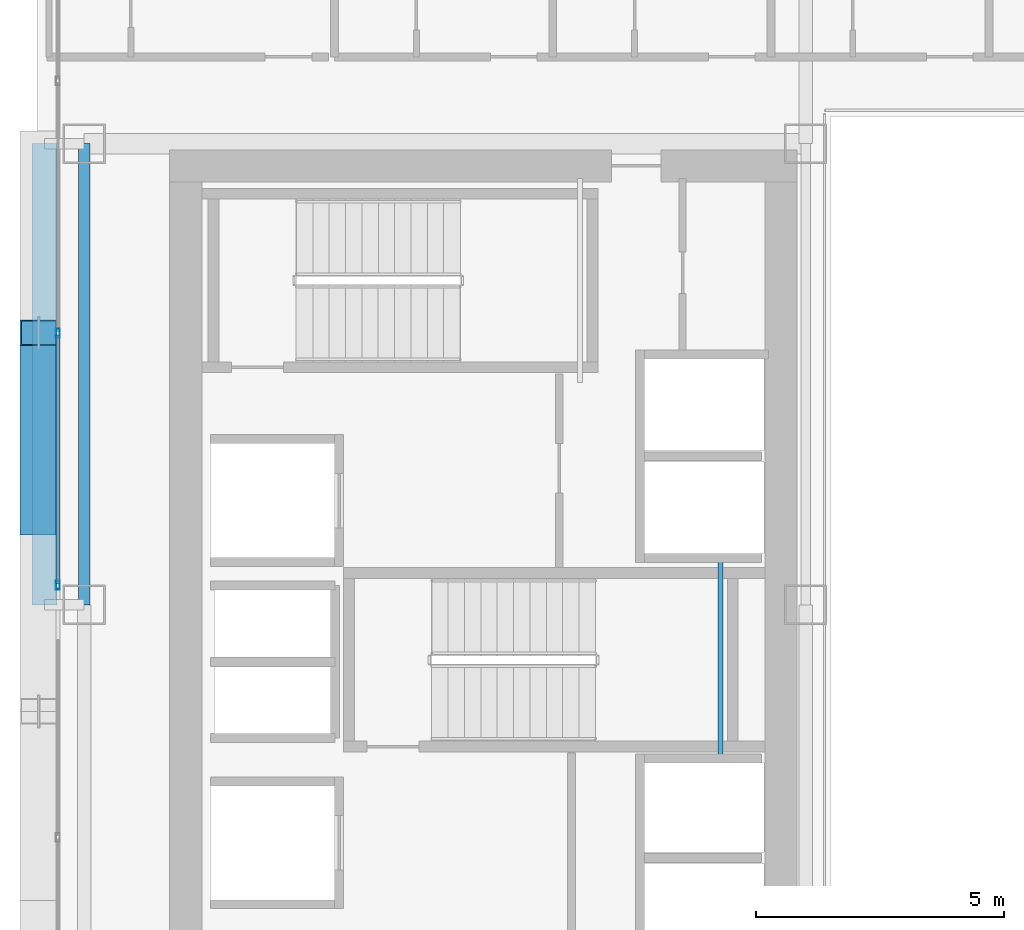
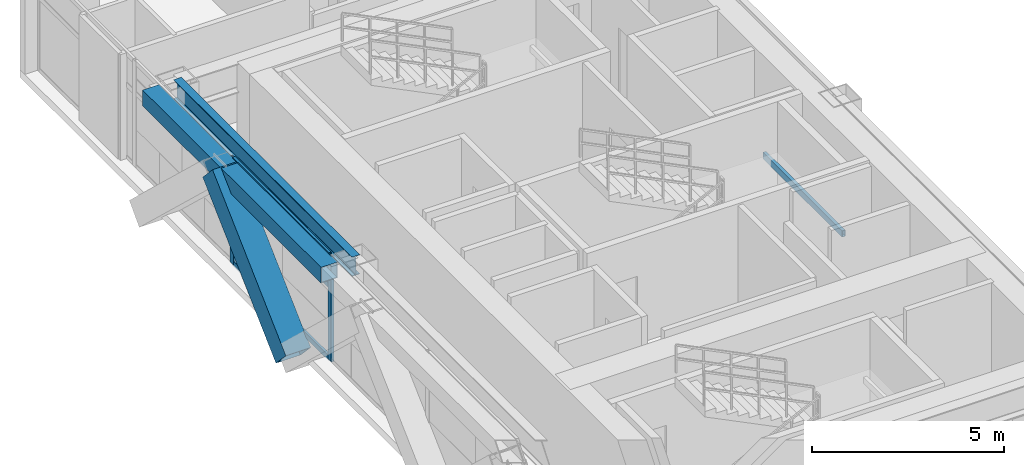
# One storey, part 8 of 36: 6 members, 3 beams, 1 element without a shape of its own.
"""IFC4 building model written with IfcOpenShell, lengths in metres."""

from ifc_helpers import new_model, si_unit, direction, frame, origin, origin_2d, place, context, subcontext, project, spatial, hollow_rectangle, i_section, extrude, source, transform, mapped, material, layer, layer_set, material_profile, profile_set, type_object, element, aggregate, save


model = new_model("IFC4")

# Units and contexts
model_context = context("Model", 3, precision=1e-05, world=origin(), true_north=direction((0.0, 1.0)))
body_context = subcontext(model_context, "Body", "Model", "MODEL_VIEW")
ifc_project = project(units=[si_unit("LENGTHUNIT", "METRE"), si_unit("AREAUNIT", "SQUARE_METRE"), si_unit("VOLUMEUNIT", "CUBIC_METRE"), si_unit("PLANEANGLEUNIT", "RADIAN"), si_unit("MASSUNIT", "GRAM", prefix="KILO")], contexts=[model_context])

# Site, building, storey
site_placement = place(None, origin())
site = spatial("IfcSite", under=ifc_project, at=site_placement, CompositionType="ELEMENT")
building_placement = place(site_placement, origin())
building = spatial("IfcBuilding", under=site, at=building_placement, Name="Ocotamira Hotel", CompositionType="ELEMENT")
storey_placement = place(building_placement, frame((0.0, 0.0, 133.199951171875)))
storey = spatial("IfcBuildingStorey", under=building, at=storey_placement, Name="L33", CompositionType="ELEMENT", Elevation=133.199951171875)

# Beams
ifc_material_1 = material(Name="Steel ASTM A500 Grade C", Category="steel")
ifc_material_profile_1 = material_profile(ifc_material_1, hollow_rectangle(XDim=0.10009765625, YDim=0.199951171875, WallThickness=0.008056640625, at=origin_2d()), Name="HSS200X100X8")
ifc_profile_set_1 = profile_set([ifc_material_profile_1], Name="Steel ASTM A500 Grade C")
beam_type_1 = type_object("IfcBeamType", Name="BM-STLDG-HSS200", PredefinedType="BEAM", material=ifc_profile_set_1)
shared_shape_1 = source(origin(), body_context, "Body", "SweptSolid", [
    extrude(hollow_rectangle(XDim=0.10009765625, YDim=0.199951171875, WallThickness=0.008056640625, at=origin_2d()), origin(), (0.0, 0.0, 1.0), 4.1201171875),
])
beam_1_placement = place(storey_placement, frame((21.780029296875, 24.97998046875, 1.5), z_axis=(0.0, 1.0, 0.0), x_axis=(-1.0, 0.0, 0.0)))
element("IfcBeam", 1, at=beam_1_placement, inside=storey, type_object=beam_type_1, Name="L33 Stair ST-3 Landing Bearer 1", PredefinedType="BEAM", context=body_context, shape_type="MappedRepresentation", body=[
    mapped(shared_shape_1, transform((0.0, 0.0, 0.0), scale=1.0)),
])
ifc_material_2 = material(Name="Steel ASTM A992 Grade 50", Category="steel")
ifc_material_profile_2 = material_profile(ifc_material_2, i_section(OverallWidth=0.22998046875, OverallDepth=0.616943359375, WebThickness=0.01318359375, FlangeThickness=0.022216796875, FilletRadius=0.012939453125, at=origin_2d()), Name="W24X94")
ifc_profile_set_2 = profile_set([ifc_material_profile_2], Name="Steel ASTM A992 Grade 50")
beam_type_2 = type_object("IfcBeamType", Name="BM-PRIM-W24X94", PredefinedType="BEAM", material=ifc_profile_set_2)
shared_shape_2 = source(origin(), body_context, "Body", "SweptSolid", [
    extrude(i_section(OverallWidth=0.22998046875, OverallDepth=0.616943359375, WebThickness=0.01318359375, FlangeThickness=0.022216796875, FilletRadius=0.012939453125, at=origin_2d()), origin(), (0.0, 0.0, 1.0), 9.300048828125),
])
beam_2_placement = place(storey_placement, frame((8.949951171875, 28.14990234375, 3.051513671875), z_axis=(0.0, 1.0, 0.0), x_axis=(-1.0, 0.0, 0.0)))
element("IfcBeam", 2, at=beam_2_placement, inside=storey, type_object=beam_type_2, Name="L33 Beam X8.95 Y28.15-37.45", PredefinedType="BEAM", context=body_context, shape_type="MappedRepresentation", body=[
    mapped(shared_shape_2, transform((0.0, 0.0, 0.0), scale=1.0)),
])
ifc_material_profile_3 = material_profile(ifc_material_1, hollow_rectangle(XDim=0.5, YDim=0.5, WallThickness=0.02001953125, at=origin_2d()), Name="HSS500X500X20")
ifc_profile_set_3 = profile_set([ifc_material_profile_3], Name="Steel ASTM A500 Grade C")
beam_type_3 = type_object("IfcBeamType", Name="BM-SPAN-HSS500", PredefinedType="USERDEFINED", material=ifc_profile_set_3)
shared_shape_3 = source(origin(), body_context, "Body", "SweptSolid", [
    extrude(hollow_rectangle(XDim=0.5, YDim=0.5, WallThickness=0.02001953125, at=origin_2d()), origin(), (0.0, 0.0, 1.0), 9.300048828125),
])
beam_3_placement = place(storey_placement, frame((8.14990234375, 28.14990234375, 3.110107421875), z_axis=(0.0, 1.0, 0.0), x_axis=(-1.0, 0.0, 0.0)))
element("IfcBeam", 3, at=beam_3_placement, inside=storey, type_object=beam_type_3, Name="L33 Edge Spandrel W Y28.15-37.45", ObjectType="SPANDREL", PredefinedType="USERDEFINED", context=body_context, shape_type="MappedRepresentation", body=[
    mapped(shared_shape_3, transform((0.0, 0.0, 0.0), scale=1.0)),
])

# Member
ifc_material_3 = material(Name="Pale-metal coated steel ASTM A913 Grade 65", Category="steel")
ifc_material_profile_4 = material_profile(ifc_material_3, hollow_rectangle(XDim=0.75, YDim=0.75, WallThickness=0.028076171875, at=origin_2d()), Name="BOX750X750X28")
ifc_profile_set_4 = profile_set([ifc_material_profile_4], Name="Pale-metal coated steel ASTM A913 Grade 65")
member_type_1 = type_object("IfcMemberType", Name="MEM-EXO-BOX750", PredefinedType="BRACE", material=ifc_profile_set_4)
shared_shape_4 = source(origin(), body_context, "Body", "SweptSolid", [
    extrude(hollow_rectangle(XDim=0.75, YDim=0.75, WallThickness=0.028076171875, at=origin_2d()), origin(), (0.0, 0.0, 1.0), 5.24658203125),
])
member_1_placement = place(storey_placement, frame((8.030029296875, 29.816650390625, -0.489990234375), z_axis=(0.0, 0.727442733726, 0.686168397078), x_axis=(-1.0, 0.0, 0.0)))
element("IfcMember", 4, at=member_1_placement, inside=storey, type_object=member_type_1, Name="L33 Exoskeleton Diagrid W2.1", PredefinedType="BRACE", context=body_context, shape_type="MappedRepresentation", body=[
    mapped(shared_shape_4, transform((0.0, 0.0, 0.0), scale=1.0)),
])

# Curtain wall, members
ifc_material_4 = material(Name="Anodised pale-metal aluminium and solar glass", Category="aluminium")
ifc_layer = layer(ifc_material_4, 0.179931640625)
ifc_layer_set = layer_set([ifc_layer], Name="Anodised pale-metal aluminium and solar glass")
curtain_wall_type = type_object("IfcCurtainWallType", Name="CW-SYS3-Z2", PredefinedType="NOTDEFINED", material=ifc_layer_set)
curtain_wall_placement = place(storey_placement, origin())
curtain_wall = element("IfcCurtainWall", 5, at=curtain_wall_placement, inside=storey, type_object=curtain_wall_type, Name="L33 Curtain Wall CW-3 CW-L33-W", PredefinedType="NOTDEFINED")
ifc_material_5 = material(Name="Anodised pale-metal aluminium 6063-T6", Category="aluminium")
ifc_material_profile_5 = material_profile(ifc_material_5, hollow_rectangle(XDim=0.074951171875, YDim=0.14990234375, WallThickness=0.006103515625, at=origin_2d()), Name="HSS150X75X6")
ifc_profile_set_5 = profile_set([ifc_material_profile_5], Name="Anodised pale-metal aluminium 6063-T6")
member_type_2 = type_object("IfcMemberType", Name="CWT-150X75", PredefinedType="USERDEFINED", material=ifc_profile_set_5)
shared_shape_5 = source(origin(), body_context, "Body", "SweptSolid", [
    extrude(hollow_rectangle(XDim=0.074951171875, YDim=0.14990234375, WallThickness=0.006103515625, at=origin_2d()), origin(), (0.0, 0.0, 1.0), 5.005859375),
])
member_2_placement = place(storey_placement, frame((8.419921875, 28.582763671875, 0.03759765625), z_axis=(0.0, 1.0, 0.0), x_axis=(-1.0, 0.0, 0.0)))
member_2 = element("IfcMember", 6, at=member_2_placement, type_object=member_type_2, Name="CW-3 transom 5.1", ObjectType="TRANSOM", PredefinedType="USERDEFINED", context=body_context, shape_type="MappedRepresentation", body=[
    mapped(shared_shape_5, transform((0.0, 0.0, 0.0), scale=1.0)),
])
member_3_placement = place(storey_placement, frame((8.419921875, 28.582763671875, 2.35009765625), z_axis=(0.0, 1.0, 0.0), x_axis=(-1.0, 0.0, 0.0)))
member_3 = element("IfcMember", 7, at=member_3_placement, type_object=member_type_2, Name="CW-3 transom 5.2", ObjectType="TRANSOM", PredefinedType="USERDEFINED", context=body_context, shape_type="MappedRepresentation", body=[
    mapped(shared_shape_5, transform((0.0, 0.0, 0.0), scale=1.0)),
])
member_4_placement = place(storey_placement, frame((8.419921875, 28.582763671875, 3.322509765625), z_axis=(0.0, 1.0, 0.0), x_axis=(-1.0, 0.0, 0.0)))
member_4 = element("IfcMember", 8, at=member_4_placement, type_object=member_type_2, Name="CW-3 transom 5.3", ObjectType="TRANSOM", PredefinedType="USERDEFINED", context=body_context, shape_type="MappedRepresentation", body=[
    mapped(shared_shape_5, transform((0.0, 0.0, 0.0), scale=1.0)),
])
ifc_material_profile_6 = material_profile(ifc_material_5, hollow_rectangle(XDim=0.080078125, YDim=0.179931640625, WallThickness=0.006103515625, at=origin_2d()), Name="HSS180X80X6")
ifc_profile_set_6 = profile_set([ifc_material_profile_6], Name="Anodised pale-metal aluminium 6063-T6")
member_type_3 = type_object("IfcMemberType", Name="CWM-180X75", PredefinedType="MULLION", material=ifc_profile_set_6)
shared_shape_6 = source(origin(), body_context, "Body", "SweptSolid", [
    extrude(hollow_rectangle(XDim=0.080078125, YDim=0.179931640625, WallThickness=0.006103515625, at=origin_2d()), origin(), (0.0, 0.0, 1.0), 3.360107421875),
])
member_5_placement = place(storey_placement, frame((8.419921875, 28.54296875, 0.0), z_axis=(0.0, 0.0, 1.0), x_axis=(-1.0, 0.0, 0.0)))
member_5 = element("IfcMember", 9, at=member_5_placement, type_object=member_type_3, Name="CW-3 mullion 5", PredefinedType="MULLION", context=body_context, shape_type="MappedRepresentation", body=[
    mapped(shared_shape_6, transform((0.0, 0.0, 0.0), scale=1.0)),
])
member_6_placement = place(storey_placement, frame((8.419921875, 33.628662109375, 0.0), z_axis=(0.0, 0.0, 1.0), x_axis=(-1.0, 0.0, 0.0)))
member_6 = element("IfcMember", 10, at=member_6_placement, type_object=member_type_3, Name="CW-3 mullion 6", PredefinedType="MULLION", context=body_context, shape_type="MappedRepresentation", body=[
    mapped(shared_shape_6, transform((0.0, 0.0, 0.0), scale=1.0)),
])
aggregate(curtain_wall, [member_5, member_6, member_2, member_3, member_4])

save(model, "model.ifc")
